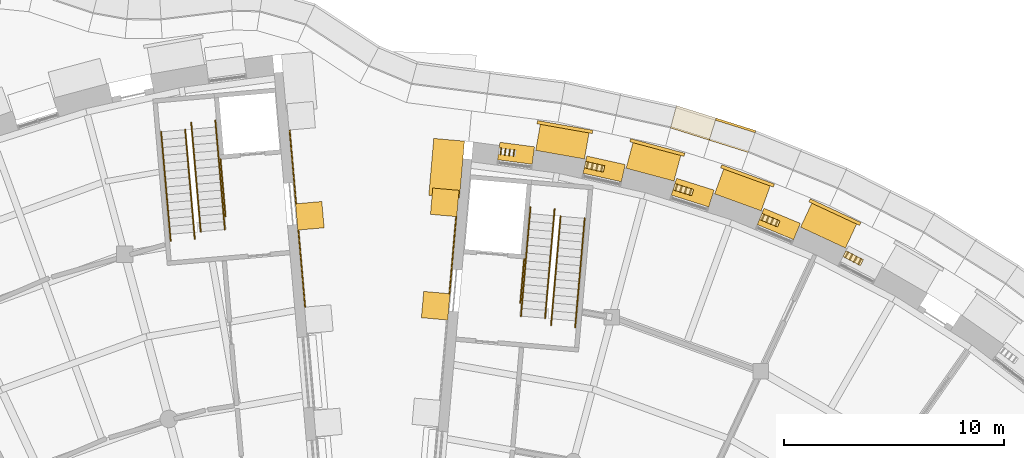
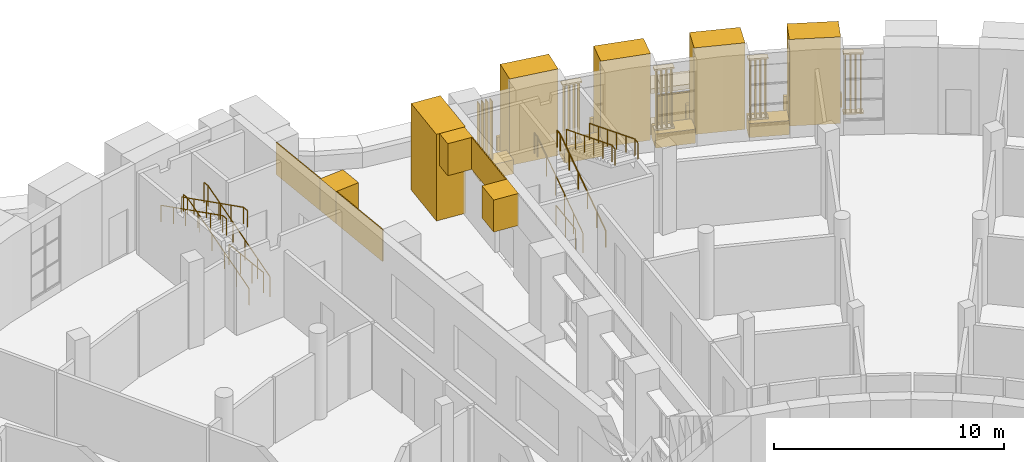
# One storey, part 79 of 85: 51 coverings, 10 railings.
"""IFC4 building model written with IfcOpenShell, lengths in metres."""

from ifc_helpers import new_model, si_unit, direction, frame, origin, origin_2d, place, context, subcontext, project, spatial, polyline, rectangle, circle, outline, extrude, material, layer, layer_set, type_object, element, save


model = new_model("IFC4")

# Units and contexts
model_context = context("Model", 3, precision=1e-05, world=origin(), true_north=direction((0.0, 1.0)))
body_context = subcontext(model_context, "Body", "Model", "MODEL_VIEW")
ifc_project = project(units=[si_unit("LENGTHUNIT", "METRE"), si_unit("AREAUNIT", "SQUARE_METRE"), si_unit("VOLUMEUNIT", "CUBIC_METRE"), si_unit("PLANEANGLEUNIT", "RADIAN"), si_unit("MASSUNIT", "GRAM", prefix="KILO")], contexts=[model_context])

# Site, building, storey
site_placement = place(None, origin())
site = spatial("IfcSite", under=ifc_project, at=site_placement, CompositionType="ELEMENT")
building_placement = place(site_placement, origin())
building = spatial("IfcBuilding", under=site, at=building_placement, Name="Volute Hill Aquarium", CompositionType="ELEMENT")
storey_placement = place(building_placement, origin())
storey = spatial("IfcBuildingStorey", under=building, at=storey_placement, Name="L01", CompositionType="ELEMENT", Elevation=0.0)

# Coverings
ifc_material_1 = material(Name="Blue limestone", Category="masonry")
covering_type_1 = type_object("IfcCoveringType", Name="Bluestone plinth block 275x750", PredefinedType="CLADDING", material=ifc_material_1)
for number, where, z_axis, x_axis, name in (
    (1, (18.27490234375, 44.11962890625, 0.0), (0.0, 0.0, 1.0), (-0.92387858834, 0.382685711789, 0.0), "Bluestone plinth BPN S5 L01 7"),
    (2, (14.360107421875, 45.54443359375, 0.0), (0.0, 0.0, 1.0), (-0.95371759465, 0.3007037573, 0.0), "Bluestone plinth BPN S5 L01 8"),
    (3, (10.3359375, 46.622802734375, 0.0), (0.0, 0.0, 1.0), (-0.976299687728, 0.21642301112, 0.0), "Bluestone plinth BPN S5 L01 9"),
):
    element("IfcCovering", number, at=place(storey_placement, frame(where, z_axis=z_axis, x_axis=x_axis)), inside=storey, type_object=covering_type_1, Name=name, PredefinedType="CLADDING", context=body_context, shape_type="SweptSolid", body=[
        extrude(rectangle(XDim=1.78564453125, YDim=0.800048828125, at=origin_2d()), origin(), (0.0, 0.0, 1.0), 0.75),
    ])
covering_1_placement = place(storey_placement, frame((6.33251953125, 47.3330078125, 0.0), z_axis=(0.0, 0.0, 1.0), x_axis=(-0.991442570657, 0.130543590761, 0.0)))
element("IfcCovering", 4, at=covering_1_placement, inside=storey, type_object=covering_type_1, Name="Bluestone plinth BPN S5 L01 10", PredefinedType="CLADDING", context=body_context, shape_type="SweptSolid", body=[
    extrude(rectangle(XDim=1.58544921875, YDim=0.800048828125, at=origin_2d()), origin(), (0.0, 0.0, 1.0), 0.75),
])
ifc_material_2 = material(Name="Blue limestone", Category="masonry")
ifc_layer_1 = layer(ifc_material_2, 0.14990234375)
ifc_layer_set_1 = layer_set([ifc_layer_1], Name="Bluestone plinth plate 150x750")
covering_type_2 = type_object("IfcCoveringType", Name="Bluestone plinth plate 150x750", PredefinedType="CLADDING", material=ifc_layer_set_1)
for number, where, z_axis, x_axis, name in (
    (5, (20.82373046875, 44.656494140625, 0.0), (0.0, 0.0, 1.0), (-0.906307787037, 0.422618261741, 0.0), "Bluestone plinth BP S5 L01 6"),
    (6, (16.852294921875, 46.301513671875, 0.0), (0.0, 0.0, 1.0), (-0.939692620786, 0.342020143326, 0.0), "Bluestone plinth BP S5 L01 7"),
    (7, (12.752685546875, 47.593994140625, 0.0), (0.0, 0.0, 1.0), (-0.965925826289, 0.258819045103, 0.0), "Bluestone plinth BP S5 L01 8"),
    (8, (8.55615234375, 48.5244140625, 0.0), (0.0, 0.0, 1.0), (-0.984807753012, 0.173648177667, 0.0), "Bluestone plinth BP S5 L01 9"),
):
    element("IfcCovering", number, at=place(storey_placement, frame(where, z_axis=z_axis, x_axis=x_axis)), inside=storey, type_object=covering_type_2, Name=name, PredefinedType="CLADDING", context=body_context, shape_type="SweptSolid", body=[
        extrude(rectangle(XDim=2.548583984375, YDim=0.14990234375, at=origin_2d()), origin(), (0.0, 0.0, 1.0), 0.75),
    ])
ifc_material_3 = material(Name="Precast concrete C40/50", Category="concrete")
covering_type_3 = type_object("IfcCoveringType", Name="End wall precast fin C40/50 1200x1200", PredefinedType="CLADDING", material=ifc_material_3)
for number, where, z_axis, x_axis, name in (
    (9, (2.681640625, 40.404052734375, 2.89990234375), (0.0, 0.0, 1.0), (0.087157252259, 0.996194566025, 0.0), "End wall fin EWF S5B L01 5"),
    (10, (3.0927734375, 45.10205078125, 2.89990234375), (0.0, 0.0, 1.0), (0.087157252259, 0.996194566025, 0.0), "End wall fin EWF S5B L01 6"),
    (11, (-3.039306640625, 44.490966796875, 2.89990234375), (0.0, 0.0, 1.0), (-0.087158393672, 0.996194466162, 0.0), "End wall fin EWF S6A L01 6"),
):
    element("IfcCovering", number, at=place(storey_placement, frame(where, z_axis=z_axis, x_axis=x_axis)), inside=storey, type_object=covering_type_3, Name=name, PredefinedType="CLADDING", context=body_context, shape_type="SweptSolid", body=[
        extrude(rectangle(XDim=1.199951171875, YDim=1.199951171875, at=origin_2d()), origin(), (0.0, 0.0, 1.0), 1.699951171875),
    ])
ifc_material_4 = material(Name="Precast concrete C40/50", Category="concrete")
ifc_layer_2 = layer(ifc_material_4, 0.050048828125)
ifc_layer_set_2 = layer_set([ifc_layer_2], Name="End wall precast infill panel C40/50 50")
covering_type_4 = type_object("IfcCoveringType", Name="End wall precast infill panel C40/50 50", PredefinedType="CLADDING", material=ifc_layer_set_2)
covering_2_placement = place(storey_placement, frame((3.33154296875, 40.949462890625, 2.89990234375), z_axis=(0.9961893446, -0.087216911809, 0.0), x_axis=(0.087216911809, 0.9961893446, 0.0)))
element("IfcCovering", 12, at=covering_2_placement, inside=storey, type_object=covering_type_4, Name="End wall panel EWP S5B L01 5", PredefinedType="CLADDING", context=body_context, shape_type="SweptSolid", body=[
    extrude(outline(polyline([(0.0, 0.0), (3.515839057339637, 0.0), (3.515839057339637, 1.7001953125), (0.0, 1.7001953125), (0.0, 0.0)])), origin(), (0.0, 0.0, -1.0), 0.050048828125),
])
covering_3_placement = place(storey_placement, frame((-3.228515625, 40.345458984375, 2.89990234375), z_axis=(0.996190096199, 0.087208326641, 0.0), x_axis=(-0.087208326641, 0.996190096199, 0.0)))
element("IfcCovering", 13, at=covering_3_placement, inside=storey, type_object=covering_type_4, Name="End wall panel EWP S6A L01 5", PredefinedType="CLADDING", context=body_context, shape_type="SweptSolid", body=[
    extrude(outline(polyline([(0.0, 0.0), (3.513385661386657, 0.0), (3.513385661386657, 1.7001953125), (0.0, 1.7001953125), (0.0, 0.0)])), origin(), (0.0, 0.0, -1.0), 0.050048828125),
])
covering_4_placement = place(storey_placement, frame((-3.639404296875, 45.040771484375, 2.89990234375), z_axis=(0.996192771964, 0.087177755693, 0.0), x_axis=(-0.087177755693, 0.996192771964, 0.0)))
element("IfcCovering", 14, at=covering_4_placement, inside=storey, type_object=covering_type_4, Name="End wall panel EWP S6A L01 6", PredefinedType="CLADDING", context=body_context, shape_type="SweptSolid", body=[
    extrude(outline(polyline([(0.0, 0.0), (3.3633911345250085, 0.0), (3.3633911345250085, 1.7001953125000004), (0.0, 1.7001953125000004), (0.0, 0.0)])), origin(), (0.0, 0.0, -1.0), 0.050048828125),
])

# Railings
ifc_material_5 = material(Name="Stainless steel 1.4301", Category="steel")
railing_type_1 = type_object("IfcRailingType", Name="Guard 1100 stainless", PredefinedType="GUARDRAIL", material=ifc_material_5)
railing_1_placement = place(storey_placement, frame((6.701904296875, 42.527587890625, 0.0)))
element("IfcRailing", 15, at=railing_1_placement, inside=storey, type_object=railing_type_1, Name="gd/S5-B/L01/edge", PredefinedType="GUARDRAIL", context=body_context, shape_type="SweptSolid", body=[
    extrude(circle(Radius=0.02392578125, at=origin_2d()), frame((0.0, 0.0, 1.076171875), z_axis=(-0.087166950281, -0.996193717496, 0.0), x_axis=(0.996193717496, -0.087166950281, 0.0)), (0.0, 0.0, 1.0), 1.999755859375),
    extrude(circle(Radius=0.02099609375, at=origin_2d()), origin(), (0.0, 0.0, 1.0), 1.052001953125),
    extrude(circle(Radius=0.02099609375, at=origin_2d()), frame((-0.087158203125, -0.99609375, 0.0)), (0.0, 0.0, 1.0), 1.052001953125),
    extrude(circle(Radius=0.02099609375, at=origin_2d()), frame((-0.17431640625, -1.9921875, 0.0)), (0.0, 0.0, 1.0), 1.052001953125),
])
railing_2_placement = place(storey_placement, frame((6.55517578125, 39.9306640625, 0.164306640625)))
element("IfcRailing", 16, at=railing_2_placement, inside=storey, type_object=railing_type_1, Name="gd/S5-B/L01/1", PredefinedType="GUARDRAIL", context=body_context, shape_type="SweptSolid", body=[
    extrude(circle(Radius=0.02392578125, at=origin_2d()), frame((0.0, 0.0, 1.076171875), z_axis=(0.079257047186, 0.906282977881, 0.415174041187), x_axis=(-0.996197793412, 0.087120355834, 0.0)), (0.0, 0.0, 1.0), 5.144287109375),
    extrude(circle(Radius=0.02392578125, at=origin_2d()), frame((0.40771484375, 4.662109375, 3.2119140625), z_axis=(0.087893810296, 0.996129850025, 0.0), x_axis=(-0.996129850025, 0.087893810296, 0.0)), (0.0, 0.0, 1.0), 0.300048828125),
    extrude(circle(Radius=0.02099609375, at=origin_2d()), origin(), (0.0, 0.0, 1.0), 1.052001953125),
    extrude(circle(Radius=0.02099609375, at=origin_2d()), frame((0.08154296875, 0.932373046875, 0.42724609375)), (0.0, 0.0, 1.0), 1.052001953125),
    extrude(circle(Radius=0.02099609375, at=origin_2d()), frame((0.1630859375, 1.86474609375, 0.854248046875)), (0.0, 0.0, 1.0), 1.052001953125),
    extrude(circle(Radius=0.02099609375, at=origin_2d()), frame((0.24462890625, 2.79736328125, 1.281494140625)), (0.0, 0.0, 1.0), 1.052001953125),
    extrude(circle(Radius=0.02099609375, at=origin_2d()), frame((0.326171875, 3.729736328125, 1.70849609375)), (0.0, 0.0, 1.0), 1.052001953125),
    extrude(circle(Radius=0.02099609375, at=origin_2d()), frame((0.40771484375, 4.662109375, 2.1357421875)), (0.0, 0.0, 1.0), 1.052001953125),
    extrude(circle(Radius=0.02099609375, at=origin_2d()), frame((0.43408203125, 4.9609375, 2.1357421875)), (0.0, 0.0, 1.0), 1.052001953125),
])
railing_3_placement = place(storey_placement, frame((-7.0986328125, 47.060302734375, 0.0)))
element("IfcRailing", 17, at=railing_3_placement, inside=storey, type_object=railing_type_1, Name="gd/S6-A/L01/edge", PredefinedType="GUARDRAIL", context=body_context, shape_type="SweptSolid", body=[
    extrude(circle(Radius=0.02392578125, at=origin_2d()), frame((0.0, 0.0, 1.076171875), z_axis=(0.087140158824, -0.996196061386, 0.0), x_axis=(0.996196061386, 0.087140158824, 0.0)), (0.0, 0.0, 1.0), 2.60009765625),
    extrude(circle(Radius=0.02099609375, at=origin_2d()), origin(), (0.0, 0.0, 1.0), 1.052001953125),
    extrude(circle(Radius=0.02099609375, at=origin_2d()), frame((0.075439453125, -0.86328125, 0.0)), (0.0, 0.0, 1.0), 1.052001953125),
    extrude(circle(Radius=0.02099609375, at=origin_2d()), frame((0.151123046875, -1.726806640625, 0.0)), (0.0, 0.0, 1.0), 1.052001953125),
    extrude(circle(Radius=0.02099609375, at=origin_2d()), frame((0.2265625, -2.590087890625, 0.0)), (0.0, 0.0, 1.0), 1.052001953125),
])
railing_4_placement = place(storey_placement, frame((-6.8994140625, 43.865478515625, 0.164306640625)))
element("IfcRailing", 18, at=railing_4_placement, inside=storey, type_object=railing_type_1, Name="gd/S6-A/L01/1", PredefinedType="GUARDRAIL", context=body_context, shape_type="SweptSolid", body=[
    extrude(circle(Radius=0.02392578125, at=origin_2d()), frame((0.0, 0.0, 1.076171875), z_axis=(-0.079300797264, 0.906288046285, 0.415154622658), x_axis=(-0.996193660874, -0.087167597388, 0.0)), (0.0, 0.0, 1.0), 5.14453125),
    extrude(circle(Radius=0.02392578125, at=origin_2d()), frame((-0.407958984375, 4.662353515625, 3.2119140625), z_axis=(-0.087086179441, 0.996200781645, 0.0), x_axis=(-0.996200781645, -0.087086179441, 0.0)), (0.0, 0.0, 1.0), 0.300048828125),
    extrude(circle(Radius=0.02099609375, at=origin_2d()), origin(), (0.0, 0.0, 1.0), 1.052001953125),
    extrude(circle(Radius=0.02099609375, at=origin_2d()), frame((-0.08154296875, 0.932373046875, 0.42724609375)), (0.0, 0.0, 1.0), 1.052001953125),
    extrude(circle(Radius=0.02099609375, at=origin_2d()), frame((-0.1630859375, 1.864990234375, 0.854248046875)), (0.0, 0.0, 1.0), 1.052001953125),
    extrude(circle(Radius=0.02099609375, at=origin_2d()), frame((-0.244873046875, 2.79736328125, 1.281494140625)), (0.0, 0.0, 1.0), 1.052001953125),
    extrude(circle(Radius=0.02099609375, at=origin_2d()), frame((-0.326416015625, 3.72998046875, 1.70849609375)), (0.0, 0.0, 1.0), 1.052001953125),
    extrude(circle(Radius=0.02099609375, at=origin_2d()), frame((-0.407958984375, 4.662353515625, 2.1357421875)), (0.0, 0.0, 1.0), 1.052001953125),
    extrude(circle(Radius=0.02099609375, at=origin_2d()), frame((-0.43408203125, 4.961181640625, 2.1357421875)), (0.0, 0.0, 1.0), 1.052001953125),
])
ifc_material_6 = material(Name="Stainless steel 1.4301", Category="steel")
railing_type_2 = type_object("IfcRailingType", Name="Handrail 48 stainless", PredefinedType="HANDRAIL", material=ifc_material_6)
railing_5_placement = place(storey_placement, frame((7.65087890625, 39.834716796875, 0.164306640625)))
element("IfcRailing", 19, at=railing_5_placement, inside=storey, type_object=railing_type_2, Name="hr/S5-B/L01/2", PredefinedType="HANDRAIL", context=body_context, shape_type="SweptSolid", body=[
    extrude(circle(Radius=0.02392578125, at=origin_2d()), frame((0.0, 0.0, 0.8759765625), z_axis=(0.079300797264, 0.906288046285, 0.415154622658), x_axis=(-0.996193660874, 0.087167597388, 0.0)), (0.0, 0.0, 1.0), 5.14453125),
    extrude(circle(Radius=0.02392578125, at=origin_2d()), frame((0.407958984375, 4.662353515625, 3.01171875), z_axis=(0.087086179441, 0.996200781645, 0.0), x_axis=(-0.996200781645, 0.087086179441, 0.0)), (0.0, 0.0, 1.0), 0.300048828125),
    extrude(circle(Radius=0.02099609375, at=origin_2d()), origin(), (0.0, 0.0, 1.0), 0.851806640625),
    extrude(circle(Radius=0.02099609375, at=origin_2d()), frame((0.08154296875, 0.932373046875, 0.42724609375)), (0.0, 0.0, 1.0), 0.851806640625),
    extrude(circle(Radius=0.02099609375, at=origin_2d()), frame((0.1630859375, 1.864990234375, 0.854248046875)), (0.0, 0.0, 1.0), 0.851806640625),
    extrude(circle(Radius=0.02099609375, at=origin_2d()), frame((0.244873046875, 2.79736328125, 1.281494140625)), (0.0, 0.0, 1.0), 0.851806640625),
    extrude(circle(Radius=0.02099609375, at=origin_2d()), frame((0.326416015625, 3.72998046875, 1.70849609375)), (0.0, 0.0, 1.0), 0.851806640625),
    extrude(circle(Radius=0.02099609375, at=origin_2d()), frame((0.407958984375, 4.662353515625, 2.1357421875)), (0.0, 0.0, 1.0), 0.851806640625),
    extrude(circle(Radius=0.02099609375, at=origin_2d()), frame((0.43408203125, 4.961181640625, 2.1357421875)), (0.0, 0.0, 1.0), 0.851806640625),
])
railing_6_placement = place(storey_placement, frame((8.357666015625, 44.470703125, 2.46435546875)))
element("IfcRailing", 20, at=railing_6_placement, inside=storey, type_object=railing_type_2, Name="hr/S5-B/L01/3", PredefinedType="HANDRAIL", context=body_context, shape_type="SweptSolid", body=[
    extrude(circle(Radius=0.02392578125, at=origin_2d()), frame((0.0, 0.0, 0.8759765625), z_axis=(-0.079304208105, -0.90627956791, 0.415172479057), x_axis=(0.996193264484, -0.087172127406, 0.0)), (0.0, 0.0, 1.0), 5.144287109375),
    extrude(circle(Radius=0.02392578125, at=origin_2d()), frame((-0.407958984375, -4.662109375, 3.01171875), z_axis=(-0.087086179441, -0.996200781645, 0.0), x_axis=(0.996200781645, -0.087086179441, 0.0)), (0.0, 0.0, 1.0), 0.300048828125),
    extrude(circle(Radius=0.02099609375, at=origin_2d()), origin(), (0.0, 0.0, 1.0), 0.851806640625),
    extrude(circle(Radius=0.02099609375, at=origin_2d()), frame((-0.08154296875, -0.932373046875, 0.42724609375)), (0.0, 0.0, 1.0), 0.851806640625),
    extrude(circle(Radius=0.02099609375, at=origin_2d()), frame((-0.1630859375, -1.86474609375, 0.854248046875)), (0.0, 0.0, 1.0), 0.851806640625),
    extrude(circle(Radius=0.02099609375, at=origin_2d()), frame((-0.244873046875, -2.79736328125, 1.281494140625)), (0.0, 0.0, 1.0), 0.851806640625),
    extrude(circle(Radius=0.02099609375, at=origin_2d()), frame((-0.326416015625, -3.729736328125, 1.70849609375)), (0.0, 0.0, 1.0), 0.851806640625),
    extrude(circle(Radius=0.02099609375, at=origin_2d()), frame((-0.407958984375, -4.662109375, 2.1357421875)), (0.0, 0.0, 1.0), 0.851806640625),
    extrude(circle(Radius=0.02099609375, at=origin_2d()), frame((-0.43408203125, -4.9609375, 2.1357421875)), (0.0, 0.0, 1.0), 0.851806640625),
])
railing_7_placement = place(storey_placement, frame((9.45361328125, 44.375, 2.46435546875)))
element("IfcRailing", 21, at=railing_7_placement, inside=storey, type_object=railing_type_2, Name="hr/S5-B/L01/4", PredefinedType="HANDRAIL", context=body_context, shape_type="SweptSolid", body=[
    extrude(circle(Radius=0.02392578125, at=origin_2d()), frame((0.0, 0.0, 0.8759765625), z_axis=(-0.079300797264, -0.906288046285, 0.415154622658), x_axis=(0.996193660874, -0.087167597388, 0.0)), (0.0, 0.0, 1.0), 5.14453125),
    extrude(circle(Radius=0.02392578125, at=origin_2d()), frame((-0.407958984375, -4.662353515625, 3.01171875), z_axis=(-0.087086179441, -0.996200781645, 0.0), x_axis=(0.996200781645, -0.087086179441, 0.0)), (0.0, 0.0, 1.0), 0.300048828125),
    extrude(circle(Radius=0.02099609375, at=origin_2d()), origin(), (0.0, 0.0, 1.0), 0.851806640625),
    extrude(circle(Radius=0.02099609375, at=origin_2d()), frame((-0.08154296875, -0.932373046875, 0.42724609375)), (0.0, 0.0, 1.0), 0.851806640625),
    extrude(circle(Radius=0.02099609375, at=origin_2d()), frame((-0.1630859375, -1.864990234375, 0.854248046875)), (0.0, 0.0, 1.0), 0.851806640625),
    extrude(circle(Radius=0.02099609375, at=origin_2d()), frame((-0.244873046875, -2.79736328125, 1.281494140625)), (0.0, 0.0, 1.0), 0.851806640625),
    extrude(circle(Radius=0.02099609375, at=origin_2d()), frame((-0.326416015625, -3.72998046875, 1.70849609375)), (0.0, 0.0, 1.0), 0.851806640625),
    extrude(circle(Radius=0.02099609375, at=origin_2d()), frame((-0.407958984375, -4.662353515625, 2.1357421875)), (0.0, 0.0, 1.0), 0.851806640625),
    extrude(circle(Radius=0.02099609375, at=origin_2d()), frame((-0.43408203125, -4.961181640625, 2.1357421875)), (0.0, 0.0, 1.0), 0.851806640625),
])
railing_8_placement = place(storey_placement, frame((-7.9951171875, 43.769775390625, 0.164306640625)))
element("IfcRailing", 22, at=railing_8_placement, inside=storey, type_object=railing_type_2, Name="hr/S6-A/L01/2", PredefinedType="HANDRAIL", context=body_context, shape_type="SweptSolid", body=[
    extrude(circle(Radius=0.02392578125, at=origin_2d()), frame((0.0, 0.0, 0.8759765625), z_axis=(-0.079304208105, 0.90627956791, 0.415172479057), x_axis=(-0.996193264484, -0.087172127406, 0.0)), (0.0, 0.0, 1.0), 5.144287109375),
    extrude(circle(Radius=0.02392578125, at=origin_2d()), frame((-0.407958984375, 4.662109375, 3.01171875), z_axis=(-0.087086179441, 0.996200781645, 0.0), x_axis=(-0.996200781645, -0.087086179441, 0.0)), (0.0, 0.0, 1.0), 0.300048828125),
    extrude(circle(Radius=0.02099609375, at=origin_2d()), origin(), (0.0, 0.0, 1.0), 0.851806640625),
    extrude(circle(Radius=0.02099609375, at=origin_2d()), frame((-0.08154296875, 0.932373046875, 0.42724609375)), (0.0, 0.0, 1.0), 0.851806640625),
    extrude(circle(Radius=0.02099609375, at=origin_2d()), frame((-0.1630859375, 1.86474609375, 0.854248046875)), (0.0, 0.0, 1.0), 0.851806640625),
    extrude(circle(Radius=0.02099609375, at=origin_2d()), frame((-0.244873046875, 2.79736328125, 1.281494140625)), (0.0, 0.0, 1.0), 0.851806640625),
    extrude(circle(Radius=0.02099609375, at=origin_2d()), frame((-0.326416015625, 3.729736328125, 1.70849609375)), (0.0, 0.0, 1.0), 0.851806640625),
    extrude(circle(Radius=0.02099609375, at=origin_2d()), frame((-0.407958984375, 4.662109375, 2.1357421875)), (0.0, 0.0, 1.0), 0.851806640625),
    extrude(circle(Radius=0.02099609375, at=origin_2d()), frame((-0.43408203125, 4.9609375, 2.1357421875)), (0.0, 0.0, 1.0), 0.851806640625),
])
railing_9_placement = place(storey_placement, frame((-8.701904296875, 48.40576171875, 2.46435546875)))
element("IfcRailing", 23, at=railing_9_placement, inside=storey, type_object=railing_type_2, Name="hr/S6-A/L01/3", PredefinedType="HANDRAIL", context=body_context, shape_type="SweptSolid", body=[
    extrude(circle(Radius=0.02392578125, at=origin_2d()), frame((0.0, 0.0, 0.8759765625), z_axis=(0.079257047186, -0.906282977881, 0.415174041187), x_axis=(0.996197793412, 0.087120355834, 0.0)), (0.0, 0.0, 1.0), 5.144287109375),
    extrude(circle(Radius=0.02392578125, at=origin_2d()), frame((0.40771484375, -4.662109375, 3.01171875), z_axis=(0.087822613866, -0.996136129499, 0.0), x_axis=(0.996136129499, 0.087822613866, 0.0)), (0.0, 0.0, 1.0), 0.30029296875),
    extrude(circle(Radius=0.02099609375, at=origin_2d()), origin(), (0.0, 0.0, 1.0), 0.851806640625),
    extrude(circle(Radius=0.02099609375, at=origin_2d()), frame((0.08154296875, -0.932373046875, 0.42724609375)), (0.0, 0.0, 1.0), 0.851806640625),
    extrude(circle(Radius=0.02099609375, at=origin_2d()), frame((0.1630859375, -1.86474609375, 0.854248046875)), (0.0, 0.0, 1.0), 0.851806640625),
    extrude(circle(Radius=0.02099609375, at=origin_2d()), frame((0.24462890625, -2.79736328125, 1.281494140625)), (0.0, 0.0, 1.0), 0.851806640625),
    extrude(circle(Radius=0.02099609375, at=origin_2d()), frame((0.326171875, -3.729736328125, 1.70849609375)), (0.0, 0.0, 1.0), 0.851806640625),
    extrude(circle(Radius=0.02099609375, at=origin_2d()), frame((0.40771484375, -4.662109375, 2.1357421875)), (0.0, 0.0, 1.0), 0.851806640625),
    extrude(circle(Radius=0.02099609375, at=origin_2d()), frame((0.43408203125, -4.961181640625, 2.1357421875)), (0.0, 0.0, 1.0), 0.851806640625),
])
railing_10_placement = place(storey_placement, frame((-9.7978515625, 48.309814453125, 2.46435546875)))
element("IfcRailing", 24, at=railing_10_placement, inside=storey, type_object=railing_type_2, Name="hr/S6-A/L01/4", PredefinedType="HANDRAIL", context=body_context, shape_type="SweptSolid", body=[
    extrude(circle(Radius=0.02392578125, at=origin_2d()), frame((0.0, 0.0, 0.8759765625), z_axis=(0.079304208105, -0.90627956791, 0.415172479057), x_axis=(0.996193264484, 0.087172127406, 0.0)), (0.0, 0.0, 1.0), 5.144287109375),
    extrude(circle(Radius=0.02392578125, at=origin_2d()), frame((0.407958984375, -4.662109375, 3.01171875), z_axis=(0.087086179441, -0.996200781645, 0.0), x_axis=(0.996200781645, 0.087086179441, 0.0)), (0.0, 0.0, 1.0), 0.300048828125),
    extrude(circle(Radius=0.02099609375, at=origin_2d()), origin(), (0.0, 0.0, 1.0), 0.851806640625),
    extrude(circle(Radius=0.02099609375, at=origin_2d()), frame((0.08154296875, -0.932373046875, 0.42724609375)), (0.0, 0.0, 1.0), 0.851806640625),
    extrude(circle(Radius=0.02099609375, at=origin_2d()), frame((0.1630859375, -1.86474609375, 0.854248046875)), (0.0, 0.0, 1.0), 0.851806640625),
    extrude(circle(Radius=0.02099609375, at=origin_2d()), frame((0.244873046875, -2.79736328125, 1.281494140625)), (0.0, 0.0, 1.0), 0.851806640625),
    extrude(circle(Radius=0.02099609375, at=origin_2d()), frame((0.326416015625, -3.729736328125, 1.70849609375)), (0.0, 0.0, 1.0), 0.851806640625),
    extrude(circle(Radius=0.02099609375, at=origin_2d()), frame((0.407958984375, -4.662109375, 2.1357421875)), (0.0, 0.0, 1.0), 0.851806640625),
    extrude(circle(Radius=0.02099609375, at=origin_2d()), frame((0.43408203125, -4.9609375, 2.1357421875)), (0.0, 0.0, 1.0), 0.851806640625),
])

# Coverings
ifc_material_7 = material(Name="Aluminium", Category="aluminium")
covering_type_5 = type_object("IfcCoveringType", Name="Plant louvre slat 40x300", PredefinedType="CLADDING", material=ifc_material_7)
for number, where, z_axis, x_axis, name in (
    (25, (21.95166015625, 42.410400390625, 0.830078125), (0.0, 0.0, 1.0), (-0.887006559862, 0.461756822107, 0.0), "Plant louvre slat S5 L01 6.1.1"),
    (26, (21.753662109375, 42.513671875, 0.830078125), (0.0, 0.0, 1.0), (-0.887006559862, 0.461756822107, 0.0), "Plant louvre slat S5 L01 6.1.2"),
    (27, (21.5556640625, 42.61669921875, 0.830078125), (0.0, 0.0, 1.0), (-0.887006559862, 0.461756822107, 0.0), "Plant louvre slat S5 L01 6.1.3"),
    (28, (21.357666015625, 42.7197265625, 0.830078125), (0.0, 0.0, 1.0), (-0.887006559862, 0.461756822107, 0.0), "Plant louvre slat S5 L01 6.1.4"),
    (29, (18.171875, 44.162353515625, 0.830078125), (0.0, 0.0, 1.0), (-0.92387858834, 0.382685711789, 0.0), "Plant louvre slat S5 L01 7.1.1"),
    (30, (17.965576171875, 44.247802734375, 0.830078125), (0.0, 0.0, 1.0), (-0.92387858834, 0.382685711789, 0.0), "Plant louvre slat S5 L01 7.1.2"),
    (31, (17.75927734375, 44.333251953125, 0.830078125), (0.0, 0.0, 1.0), (-0.92387858834, 0.382685711789, 0.0), "Plant louvre slat S5 L01 7.1.3"),
    (32, (17.55322265625, 44.418701171875, 0.830078125), (0.0, 0.0, 1.0), (-0.92387858834, 0.382685711789, 0.0), "Plant louvre slat S5 L01 7.1.4"),
    (33, (14.253662109375, 45.578125, 0.830078125), (0.0, 0.0, 1.0), (-0.95371759465, 0.3007037573, 0.0), "Plant louvre slat S5 L01 8.1.1"),
    (34, (14.040771484375, 45.645263671875, 0.830078125), (0.0, 0.0, 1.0), (-0.95371759465, 0.3007037573, 0.0), "Plant louvre slat S5 L01 8.1.2"),
    (35, (13.827880859375, 45.71240234375, 0.830078125), (0.0, 0.0, 1.0), (-0.95371759465, 0.3007037573, 0.0), "Plant louvre slat S5 L01 8.1.3"),
    (36, (13.614990234375, 45.779296875, 0.830078125), (0.0, 0.0, 1.0), (-0.95371759465, 0.3007037573, 0.0), "Plant louvre slat S5 L01 8.1.4"),
    (37, (10.22705078125, 46.64697265625, 0.830078125), (0.0, 0.0, 1.0), (-0.976299687728, 0.21642301112, 0.0), "Plant louvre slat S5 L01 9.1.1"),
    (38, (10.009033203125, 46.695068359375, 0.830078125), (0.0, 0.0, 1.0), (-0.976299687728, 0.21642301112, 0.0), "Plant louvre slat S5 L01 9.1.2"),
    (39, (9.791259765625, 46.743408203125, 0.830078125), (0.0, 0.0, 1.0), (-0.976299687728, 0.21642301112, 0.0), "Plant louvre slat S5 L01 9.1.3"),
    (40, (9.5732421875, 46.791748046875, 0.830078125), (0.0, 0.0, 1.0), (-0.976299687728, 0.21642301112, 0.0), "Plant louvre slat S5 L01 9.1.4"),
    (41, (6.234375, 47.345947265625, 0.830078125), (0.0, 0.0, 1.0), (-0.991442570657, 0.130543590761, 0.0), "Plant louvre slat S5 L01 10.1.1"),
    (42, (6.037841796875, 47.371826171875, 0.830078125), (0.0, 0.0, 1.0), (-0.991442570657, 0.130543590761, 0.0), "Plant louvre slat S5 L01 10.1.2"),
    (43, (5.84130859375, 47.397705078125, 0.830078125), (0.0, 0.0, 1.0), (-0.991442570657, 0.130543590761, 0.0), "Plant louvre slat S5 L01 10.1.3"),
    (44, (5.644775390625, 47.423583984375, 0.830078125), (0.0, 0.0, 1.0), (-0.991442570657, 0.130543590761, 0.0), "Plant louvre slat S5 L01 10.1.4"),
):
    element("IfcCovering", number, at=place(storey_placement, frame(where, z_axis=z_axis, x_axis=x_axis)), inside=storey, type_object=covering_type_5, Name=name, PredefinedType="CLADDING", context=body_context, shape_type="SweptSolid", body=[
        extrude(rectangle(XDim=0.0400390625, YDim=0.300048828125, at=origin_2d()), origin(), (0.0, 0.0, 1.0), 3.090087890625),
    ])
ifc_material_8 = material(Name="Aluminium", Category="aluminium")
covering_type_6 = type_object("IfcCoveringType", Name="Plant louvre slat rail 300x80", PredefinedType="CLADDING", material=ifc_material_8)
for number, where, z_axis, x_axis, name in (
    (45, (21.65478515625, 42.565185546875, 0.75), (0.0, 0.0, 1.0), (-0.887006559862, 0.461756822107, 0.0), "Plant louvre slat rail S5 L01 6.1"),
    (46, (21.65478515625, 42.565185546875, 3.919921875), (0.0, 0.0, 1.0), (-0.887006559862, 0.461756822107, 0.0), "Plant louvre slat rail S5 L01 6.2"),
    (47, (17.862548828125, 44.29052734375, 0.75), (0.0, 0.0, 1.0), (-0.92387858834, 0.382685711789, 0.0), "Plant louvre slat rail S5 L01 7.1"),
    (48, (17.862548828125, 44.29052734375, 3.919921875), (0.0, 0.0, 1.0), (-0.92387858834, 0.382685711789, 0.0), "Plant louvre slat rail S5 L01 7.2"),
    (49, (13.934326171875, 45.6787109375, 0.75), (0.0, 0.0, 1.0), (-0.95371759465, 0.3007037573, 0.0), "Plant louvre slat rail S5 L01 8.1"),
    (50, (13.934326171875, 45.6787109375, 3.919921875), (0.0, 0.0, 1.0), (-0.95371759465, 0.3007037573, 0.0), "Plant louvre slat rail S5 L01 8.2"),
    (51, (9.900146484375, 46.71923828125, 0.75), (0.0, 0.0, 1.0), (-0.976299687728, 0.21642301112, 0.0), "Plant louvre slat rail S5 L01 9.1"),
    (52, (9.900146484375, 46.71923828125, 3.919921875), (0.0, 0.0, 1.0), (-0.976299687728, 0.21642301112, 0.0), "Plant louvre slat rail S5 L01 9.2"),
):
    element("IfcCovering", number, at=place(storey_placement, frame(where, z_axis=z_axis, x_axis=x_axis)), inside=storey, type_object=covering_type_6, Name=name, PredefinedType="CLADDING", context=body_context, shape_type="SweptSolid", body=[
        extrude(rectangle(XDim=0.892822265625, YDim=0.300048828125, at=origin_2d()), origin(), (0.0, 0.0, 1.0), 0.080078125),
    ])
ifc_material_9 = material(Name="Precast concrete C40/50", Category="concrete")
ifc_layer_3 = layer(ifc_material_9, 0.25)
ifc_layer_set_3 = layer_set([ifc_layer_3], Name="Plinth coping precast concrete C40/50 1000")
covering_type_7 = type_object("IfcCoveringType", Name="Plinth coping precast concrete C40/50 1000", PredefinedType="CLADDING", material=ifc_layer_set_3)
covering_5_placement = place(storey_placement, frame((0.0, 0.0, 0.85009765625)))
element("IfcCovering", 53, at=covering_5_placement, inside=storey, type_object=covering_type_7, Name="cp/E65UP/L01/0", PredefinedType="CLADDING", context=body_context, shape_type="SweptSolid", body=[
    extrude(outline(polyline([(17.21435546875, 48.31396484375), (15.413818359375, 48.881591796875), (15.113037109375, 47.927978515625), (16.875244140625, 47.372314453125), (17.21435546875, 48.31396484375), (17.21435546875, 48.31396484375)])), origin(), (0.0, 0.0, 1.0), 0.25),
])
covering_6_placement = place(storey_placement, frame((0.0, 0.0, 0.85009765625)))
element("IfcCovering", 54, at=covering_6_placement, inside=storey, type_object=covering_type_7, Name="cp/E65UP/L01/1", PredefinedType="CLADDING", context=body_context, shape_type="SweptSolid", body=[
    extrude(outline(polyline([(13.611328125, 49.449951171875), (13.611328125, 49.449951171875), (13.352294921875, 48.483154296875), (15.113037109375, 47.927978515625), (15.413818359375, 48.881591796875), (13.611328125, 49.449951171875)])), origin(), (0.0, 0.0, 1.0), 0.25),
])
ifc_material_10 = material(Name="Precast concrete C40/50", Category="concrete")
ifc_layer_4 = layer(ifc_material_10, 0.199951171875)
ifc_layer_set_4 = layer_set([ifc_layer_4], Name="Plinth grade course precast concrete C40/50 1100")
covering_type_8 = type_object("IfcCoveringType", Name="Plinth grade course precast concrete C40/50 1100", PredefinedType="CLADDING", material=ifc_layer_set_4)
covering_7_placement = place(storey_placement, frame((0.0, 0.0, -1.375)))
element("IfcCovering", 55, at=covering_7_placement, inside=storey, type_object=covering_type_8, Name="gc/E65UP/L01/1", PredefinedType="CLADDING", context=body_context, shape_type="SweptSolid", body=[
    extrude(outline(polyline([(15.4287109375, 48.929443359375), (13.624267578125, 49.498291015625), (13.365234375, 48.531494140625), (13.365234375, 48.531494140625), (15.1279296875, 47.9755859375), (15.4287109375, 48.929443359375)])), origin(), (0.0, 0.0, 1.0), 0.199951171875),
])
ifc_material_11 = material(Name="Precast concrete C40/50", Category="concrete")
covering_type_9 = type_object("IfcCoveringType", Name="Projecting pier precast concrete C40/50 2249x1200", PredefinedType="CLADDING", material=ifc_material_11)
for number, where, z_axis, x_axis, name in (
    (56, (20.538330078125, 44.044677734375, 0.0), (0.0, 0.0, 1.0), (-0.906307787037, 0.422618261741, 0.0), "Projecting pier PP S5 L01 6"),
    (57, (16.62158203125, 45.667236328125, 0.0), (0.0, 0.0, 1.0), (-0.939692620786, 0.342020143326, 0.0), "Projecting pier PP S5 L01 7"),
    (58, (12.578125, 46.94189453125, 0.0), (0.0, 0.0, 1.0), (-0.965925826289, 0.258819045103, 0.0), "Projecting pier PP S5 L01 8"),
    (59, (8.43896484375, 47.859619140625, 0.0), (0.0, 0.0, 1.0), (-0.984807753012, 0.173648177667, 0.0), "Projecting pier PP S5 L01 9"),
):
    element("IfcCovering", number, at=place(storey_placement, frame(where, z_axis=z_axis, x_axis=x_axis)), inside=storey, type_object=covering_type_9, Name=name, PredefinedType="CLADDING", context=body_context, shape_type="SweptSolid", body=[
        extrude(rectangle(XDim=2.24853515625, YDim=1.199951171875, at=origin_2d()), origin(), (0.0, 0.0, 1.0), 4.60009765625),
    ])
ifc_material_12 = material(Name="Precast concrete C40/50", Category="concrete")
ifc_layer_5 = layer(ifc_material_12, 0.10009765625)
ifc_layer_set_5 = layer_set([ifc_layer_5], Name="Retained ground face precast concrete C40/50 100")
covering_type_10 = type_object("IfcCoveringType", Name="Retained ground face precast concrete C40/50 100", PredefinedType="CLADDING", material=ifc_layer_set_5)
covering_8_placement = place(storey_placement, frame((0.0, 0.0, -1.72412109375)))
element("IfcCovering", 60, at=covering_8_placement, inside=storey, type_object=covering_type_10, Name="tg/E65UP/L01/0", PredefinedType="CLADDING", context=body_context, shape_type="SweptSolid", body=[
    extrude(outline(polyline([(17.2314453125, 48.36083984375), (15.4287109375, 48.929443359375), (15.398681640625, 48.833984375), (17.197509765625, 48.266845703125), (17.2314453125, 48.36083984375)])), origin(), (0.0, 0.0, 1.0), 1.72412109375),
])
ifc_material_13 = material(Name="Precast concrete C40/50", Category="concrete")
covering_type_11 = type_object("IfcCoveringType", Name="Step pylon precast concrete C40/50 1400x2600", PredefinedType="CLADDING", material=ifc_material_13)
covering_9_placement = place(storey_placement, frame((3.177978515625, 46.650634765625, 0.0), z_axis=(0.0, 0.0, 1.0), x_axis=(0.087155742748, 0.996194698092, 0.0)))
element("IfcCovering", 61, at=covering_9_placement, inside=storey, type_object=covering_type_11, Name="Step pylon SPY S5B L01", PredefinedType="CLADDING", context=body_context, shape_type="SweptSolid", body=[
    extrude(rectangle(XDim=2.60009765625, YDim=1.39990234375, at=origin_2d()), origin(), (0.0, 0.0, 1.0), 4.60009765625),
])

save(model, "model.ifc")
